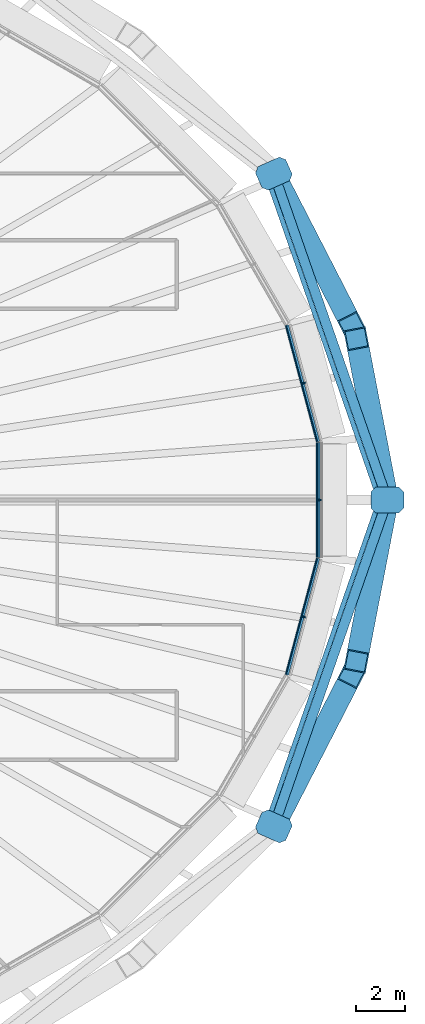
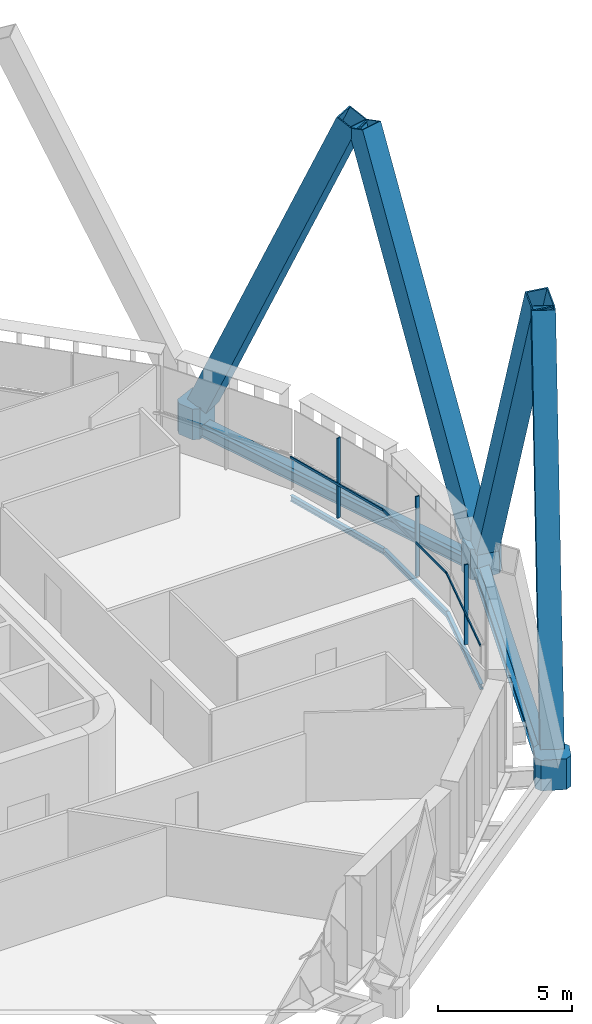
# One storey, part 12 of 25: 13 members, 7 beams, 3 elements without a shape of their own.
"""IFC4 building model written with IfcOpenShell, lengths in metres."""

import ifcopenshell
import ifcopenshell.guid

model = None  # the IFC model being written
_history = None  # IfcOwnerHistory: only IFC2X3 demands one
_inside = {}  # id of a spatial element -> (the spatial element, [elements in it])
_under = {}  # id of a project, library or spatial element -> (it, [spatial elements below it])
_declared = {}  # id of a project -> (the project, [libraries it declares])
_typed = {}  # id of a type object -> (the type object, [elements of that type])
_made_of = {}  # id of a material, layer set ... -> (it, [elements and type objects made of it])


def new_model(schema):
    """Start an empty IFC model of exactly this schema.

    Asked for "IFC4X3", IfcOpenShell would pick the latest addendum, in which some entities
    have other attributes; the version numbers below select the first issue.
    IFC2X3 requires an IfcOwnerHistory on every rooted entity: one is made here for all.
    """
    global model, _history
    if schema == "IFC4X3":
        model = ifcopenshell.file(schema_version=(4, 3, 0, 0))
    else:
        model = ifcopenshell.file(schema=schema)
    _inside.clear()
    _under.clear()
    _declared.clear()
    _typed.clear()
    _made_of.clear()
    _history = None
    if model.schema == "IFC2X3":
        org = make("IfcOrganization", Name="unknown")
        user = make(
            "IfcPersonAndOrganization",
            ThePerson=make("IfcPerson", FamilyName="unknown"),
            TheOrganization=org,
        )
        app = make(
            "IfcApplication",
            ApplicationDeveloper=org,
            Version="unknown",
            ApplicationFullName="unknown",
            ApplicationIdentifier="unknown",
        )
        _history = make(
            "IfcOwnerHistory",
            OwningUser=user,
            OwningApplication=app,
            ChangeAction="ADDED",
            CreationDate=0,
        )
    return model


def make(cls, **values):
    """One entity of the class cls with the attributes given. An attribute that is None is left unset."""
    return model.create_entity(
        cls, **{name: value for name, value in values.items() if value is not None}
    )


def rooted(cls, **values):
    """An entity with a GlobalId (a new one), such as an element, a storey or a relation."""
    return make(cls, GlobalId=ifcopenshell.guid.new(), OwnerHistory=_history, **values)


def si_unit(unit_type, name, prefix=None):
    """IfcSIUnit, for example si_unit("LENGTHUNIT", "METRE", prefix="MILLI")."""
    return make("IfcSIUnit", UnitType=unit_type, Prefix=prefix, Name=name)


def assignment(units):
    """IfcUnitAssignment: the units of a project."""
    return None if units is None else make("IfcUnitAssignment", Units=units)


def point(xyz):
    """IfcCartesianPoint."""
    return None if xyz is None else make("IfcCartesianPoint", Coordinates=xyz)


def direction(xyz):
    """IfcDirection."""
    return None if xyz is None else make("IfcDirection", DirectionRatios=xyz)


def frame(location, z_axis=None, x_axis=None):
    """IfcAxis2Placement3D, a coordinate frame: its origin and axes. An axis left out is left unset."""
    return make(
        "IfcAxis2Placement3D",
        Location=point(location),
        Axis=direction(z_axis),
        RefDirection=direction(x_axis),
    )


def frame_2d(location, x_axis=None):
    """IfcAxis2Placement2D, a coordinate frame in the plane: its origin and x axis."""
    return make(
        "IfcAxis2Placement2D", Location=point(location), RefDirection=direction(x_axis)
    )


def origin():
    """The frame at (0, 0, 0) with its axes left unset."""
    return frame((0.0, 0.0, 0.0))


def origin_2d():
    """The frame at (0, 0) in the plane with its x axis left unset."""
    return frame_2d((0.0, 0.0))


def place(relative_to, where):
    """IfcLocalPlacement: puts the frame where relative to a parent placement (None: the world)."""
    return make(
        "IfcLocalPlacement", PlacementRelTo=relative_to, RelativePlacement=where
    )


def context(
    kind, dimensions, precision=None, world=None, true_north=None, identifier=None
):
    """IfcGeometricRepresentationContext, for example the 3D "Model" context."""
    return make(
        "IfcGeometricRepresentationContext",
        ContextIdentifier=identifier,
        ContextType=kind,
        CoordinateSpaceDimension=dimensions,
        Precision=precision,
        WorldCoordinateSystem=world,
        TrueNorth=true_north,
    )


def subcontext(parent, identifier, kind, view, scale=None):
    """IfcGeometricRepresentationSubContext, for example "Body" below "Model"."""
    return make(
        "IfcGeometricRepresentationSubContext",
        ContextIdentifier=identifier,
        ContextType=kind,
        ParentContext=parent,
        TargetScale=scale,
        TargetView=view,
    )


def project(units=None, contexts=None):
    """IfcProject with its units and contexts."""
    return rooted(
        "IfcProject",
        Name="project",
        RepresentationContexts=contexts,
        UnitsInContext=assignment(units),
    )


def spatial(cls, under=None, at=None, **own):
    """A site, building, storey or space (cls), placed at a placement, below another one or the project."""
    s = rooted(cls, ObjectPlacement=at, **own)
    if under is not None:
        _under.setdefault(under.id(), (under, []))[1].append(s)
    return s


def polyline(points):
    """IfcPolyline through the points."""
    return make("IfcPolyline", Points=[point(p) for p in points])


def profile(cls, at=None, kind="AREA", **sizes):
    """A parametric profile (cls). Its sizes go by their IFC names, for example OverallWidth=200.0."""
    return make(cls, ProfileType=kind, Position=at, **sizes)


def rectangle(**sizes):
    """IfcRectangleProfileDef."""
    return profile("IfcRectangleProfileDef", **sizes)


def hollow_rectangle(**sizes):
    """IfcRectangleHollowProfileDef."""
    return profile("IfcRectangleHollowProfileDef", **sizes)


def i_section(**sizes):
    """IfcIShapeProfileDef."""
    return profile("IfcIShapeProfileDef", **sizes)


def outline(outer, holes=None, kind="AREA"):
    """IfcArbitraryClosedProfileDef: a profile drawn as a closed curve; with holes, ...WithVoids."""
    if holes is None:
        return make("IfcArbitraryClosedProfileDef", ProfileType=kind, OuterCurve=outer)
    return make(
        "IfcArbitraryProfileDefWithVoids",
        ProfileType=kind,
        OuterCurve=outer,
        InnerCurves=holes,
    )


def extrude(swept, where, along, depth):
    """IfcExtrudedAreaSolid: the profile swept, set in the frame where, extruded along a direction by depth."""
    return make(
        "IfcExtrudedAreaSolid",
        SweptArea=swept,
        Position=where,
        ExtrudedDirection=direction(along),
        Depth=depth,
    )


def shape(context_of_items, identifier, shape_type, items):
    """IfcShapeRepresentation: the items that make up one representation, for example the "Body"."""
    return make(
        "IfcShapeRepresentation",
        ContextOfItems=context_of_items,
        RepresentationIdentifier=identifier,
        RepresentationType=shape_type,
        Items=items,
    )


def material(Name=None, Category=None):
    """IfcMaterial."""
    return make("IfcMaterial", Name=Name, Category=Category)


def layer(
    of_material, thickness, ventilated=None, Name=None, Category=None, Priority=None
):
    """IfcMaterialLayer: one layer of a wall or slab, of a material (None: an air gap)."""
    return make(
        "IfcMaterialLayer",
        Material=of_material,
        LayerThickness=thickness,
        IsVentilated=ventilated,
        Name=Name,
        Category=Category,
        Priority=Priority,
    )


def layer_set(layers, Name=None):
    """IfcMaterialLayerSet."""
    return make("IfcMaterialLayerSet", MaterialLayers=layers, LayerSetName=Name)


def material_profile(
    of_material, cross_section, Name=None, Category=None, Priority=None
):
    """IfcMaterialProfile: a cross section and its material."""
    return make(
        "IfcMaterialProfile",
        Name=Name,
        Material=of_material,
        Profile=cross_section,
        Priority=Priority,
        Category=Category,
    )


def profile_set(profiles, Name=None, composite=None):
    """IfcMaterialProfileSet."""
    return make(
        "IfcMaterialProfileSet",
        Name=Name,
        MaterialProfiles=profiles,
        CompositeProfile=composite,
    )


def made_of(thing, what):
    """Note that an element or type object is made of a material, layer set ...; save() writes the relation."""
    if what is not None:
        _made_of.setdefault(what.id(), (what, []))[1].append(thing)
    return thing


def type_object(cls, material=None, **own):
    """A type object (cls), such as IfcWallType, which elements share."""
    return made_of(rooted(cls, **own), material)


def element(
    cls,
    number,
    at=None,
    inside=None,
    cuts=None,
    type_object=None,
    material=None,
    context=None,
    identifier="Body",
    shape_type=None,
    held_by="IfcProductDefinitionShape",
    body=None,
    shapes=None,
    **own,
):
    """One element of the class cls, such as IfcWall. Its Tag is "e" and its number.

    at: its placement. inside: the storey or other place that contains it. cuts: it is an
    opening in that element (IfcRelVoidsElement). A single representation is given by context,
    identifier, shape_type and body (its items); several are given by shapes. held_by: the class
    of the entity that holds the representations. save() writes the other relations.
    """
    e = rooted(cls, Tag="e%d" % number, ObjectPlacement=at, **own)
    if body is not None:
        shapes = [shape(context, identifier, shape_type, body)]
    if shapes is not None:
        e.Representation = make(held_by, Representations=shapes)
    if inside is not None:
        _inside.setdefault(inside.id(), (inside, []))[1].append(e)
    if cuts is not None:
        rooted(
            "IfcRelVoidsElement", RelatingBuildingElement=cuts, RelatedOpeningElement=e
        )
    if type_object is not None:
        _typed.setdefault(type_object.id(), (type_object, []))[1].append(e)
    return made_of(e, material)


def aggregate(whole, parts):
    """IfcRelAggregates: a whole, such as a stair, and the parts it consists of."""
    return rooted("IfcRelAggregates", RelatingObject=whole, RelatedObjects=parts)


def save(model, path):
    """Write the relations noted so far, then the file.

    IfcRelAggregates (storeys below a building ...), IfcRelContainedInSpatialStructure (elements
    in a storey), IfcRelDefinesByType, IfcRelAssociatesMaterial and IfcRelDeclares: one each for
    every whole, place, type object, material and project.
    """
    for whole, parts in _under.values():
        aggregate(whole, parts)
    for where, things in _inside.values():
        rooted(
            "IfcRelContainedInSpatialStructure",
            RelatedElements=things,
            RelatingStructure=where,
        )
    for kind, things in _typed.values():
        rooted("IfcRelDefinesByType", RelatedObjects=things, RelatingType=kind)
    for what, things in _made_of.values():
        rooted("IfcRelAssociatesMaterial", RelatedObjects=things, RelatingMaterial=what)
    for by, libraries in _declared.values():
        rooted("IfcRelDeclares", RelatingContext=by, RelatedDefinitions=libraries)
    model.write(path)


model = new_model("IFC4")

# Units and contexts
model_context = context("Model", 3, precision=1e-05, world=origin(), true_north=direction((0.0, 1.0)))
body_context = subcontext(model_context, "Body", "Model", "MODEL_VIEW")
ifc_project = project(units=[si_unit("LENGTHUNIT", "METRE"), si_unit("AREAUNIT", "SQUARE_METRE"), si_unit("VOLUMEUNIT", "CUBIC_METRE"), si_unit("PLANEANGLEUNIT", "RADIAN"), si_unit("MASSUNIT", "GRAM", prefix="KILO")], contexts=[model_context])

# Site, building, storey
site_placement = place(None, origin())
site = spatial("IfcSite", under=ifc_project, at=site_placement, CompositionType="ELEMENT")
building_placement = place(site_placement, origin())
building = spatial("IfcBuilding", under=site, at=building_placement, Name="Sahrelin Media Tower", CompositionType="ELEMENT")
storey_placement = place(building_placement, frame((0.0, 0.0, 114.60009765625)))
storey = spatial("IfcBuildingStorey", under=building, at=storey_placement, Name="L22", CompositionType="ELEMENT", Elevation=114.60009765625)

# Members
ifc_material_1 = material(Name="Steel S460", Category="steel")
ifc_material_profile_1 = material_profile(ifc_material_1, hollow_rectangle(XDim=0.89990234375, YDim=0.89990234375, WallThickness=0.050048828125, at=origin_2d()), Name="Diagrid diagonal DG3")
ifc_profile_set_1 = profile_set([ifc_material_profile_1], Name="Steel S460")
member_type_1 = type_object("IfcMemberType", Name="Diagrid diagonal DG3", PredefinedType="BRACE", material=ifc_profile_set_1)
member_1_placement = place(storey_placement, frame((34.539306640625, 0.285888671875, 0.699951171875), z_axis=(-0.072543222366, 0.377163278999, 0.923301327771), x_axis=(-0.982000738068, -0.188877077575, 0.0)))
element("IfcMember", 1, at=member_1_placement, inside=storey, type_object=member_type_1, Name="Diagrid diagonal D04-00", PredefinedType="BRACE", context=body_context, shape_type="SweptSolid", body=[
    extrude(hollow_rectangle(XDim=0.89990234375, YDim=0.89990234375, WallThickness=0.050048828125, at=origin_2d()), origin(), (0.0, 0.0, 1.0), 16.67919921875),
])
for number, where, z_axis, x_axis, name in (
    (2, (30.09765625, 13.044921875, 0.699951171875), (0.181150046841, -0.352548323524, 0.91809277315), (0.889452455088, 0.457027712659, 0.0), "Diagrid diagonal D04-01"),
    (3, (30.09765625, -13.044921875, 0.699951171875), (0.181150046841, 0.352548323524, 0.91809277315), (-0.889452455088, 0.457027712659, 0.0), "Diagrid diagonal D04-22"),
):
    element("IfcMember", number, at=place(storey_placement, frame(where, z_axis=z_axis, x_axis=x_axis)), inside=storey, type_object=member_type_1, Name=name, PredefinedType="BRACE", context=body_context, shape_type="SweptSolid", body=[
        extrude(hollow_rectangle(XDim=0.89990234375, YDim=0.89990234375, WallThickness=0.050048828125, at=origin_2d()), origin(), (0.0, 0.0, 1.0), 16.773681640625),
    ])
member_2_placement = place(storey_placement, frame((34.539306640625, -0.285888671875, 0.699951171875), z_axis=(-0.072543222366, -0.377163278999, 0.923301327771), x_axis=(0.982000738068, -0.188877077575, 0.0)))
element("IfcMember", 4, at=member_2_placement, inside=storey, type_object=member_type_1, Name="Diagrid diagonal D04-23", PredefinedType="BRACE", context=body_context, shape_type="SweptSolid", body=[
    extrude(hollow_rectangle(XDim=0.89990234375, YDim=0.89990234375, WallThickness=0.050048828125, at=origin_2d()), origin(), (0.0, 0.0, 1.0), 16.67919921875),
])
ifc_material_profile_2 = material_profile(ifc_material_1, outline(polyline([(0.47509765625, -0.52490234375), (0.675048828125, -0.324951171875), (0.675048828125, 0.324951171875), (0.47509765625, 0.52490234375), (-0.47509765625, 0.52490234375), (-0.675048828125, 0.324951171875), (-0.675048828125, -0.324951171875), (-0.47509765625, -0.52490234375), (0.47509765625, -0.52490234375)])), Name="Diagrid node block 1350")
ifc_profile_set_2 = profile_set([ifc_material_profile_2], Name="Steel S460")
member_type_2 = type_object("IfcMemberType", Name="Diagrid node block 1350", PredefinedType="USERDEFINED", material=ifc_profile_set_2)
for number, where, z_axis, x_axis, name in (
    (5, (34.59423828125, 0.0, -0.7001953125), (0.0, 0.0, 1.0), (1.0, 0.0, 0.0), "Diagrid node N04-00"),
    (6, (29.95947265625, 13.313720703125, -0.7001953125), (0.0, 0.0, 1.0), (0.913831317054, 0.40609398416, 0.0), "Diagrid node N04-01"),
    (7, (29.95947265625, -13.313720703125, -0.7001953125), (0.0, 0.0, 1.0), (0.913831317054, -0.40609398416, 0.0), "Diagrid node N04-11"),
):
    element("IfcMember", number, at=place(storey_placement, frame(where, z_axis=z_axis, x_axis=x_axis)), inside=storey, type_object=member_type_2, Name=name, ObjectType="NODE", PredefinedType="USERDEFINED", context=body_context, shape_type="SweptSolid", body=[
        extrude(outline(polyline([(0.47509765625, -0.52490234375), (0.675048828125, -0.324951171875), (0.675048828125, 0.324951171875), (0.47509765625, 0.52490234375), (-0.47509765625, 0.52490234375), (-0.675048828125, 0.324951171875), (-0.675048828125, -0.324951171875), (-0.47509765625, -0.52490234375), (0.47509765625, -0.52490234375)])), origin(), (0.0, 0.0, 1.0), 1.400146484375),
    ])

# Beams
ifc_material_profile_3 = material_profile(ifc_material_1, hollow_rectangle(XDim=0.39990234375, YDim=0.60009765625, WallThickness=0.030029296875, at=origin_2d()), Name="Diagrid ring beam RB1")
ifc_profile_set_3 = profile_set([ifc_material_profile_3], Name="Steel S460")
beam_type_1 = type_object("IfcBeamType", Name="Diagrid ring beam RB1", PredefinedType="BEAM", material=ifc_profile_set_3)
for number, where, z_axis, x_axis, name in (
    (8, (34.59423828125, 0.0, -0.4501953125), (-0.328767798917, 0.944410786891, 0.0), (-0.944410786891, -0.328767798917, 0.0), "Diagrid ring beam RB04-00"),
    (9, (29.95947265625, -13.313720703125, -0.4501953125), (0.328767798917, 0.944410786891, 0.0), (-0.944410786891, 0.328767798917, 0.0), "Diagrid ring beam RB04-11"),
):
    element("IfcBeam", number, at=place(storey_placement, frame(where, z_axis=z_axis, x_axis=x_axis)), inside=storey, type_object=beam_type_1, Name=name, PredefinedType="BEAM", context=body_context, shape_type="SweptSolid", body=[
        extrude(hollow_rectangle(XDim=0.39990234375, YDim=0.60009765625, WallThickness=0.030029296875, at=origin_2d()), origin(), (0.0, 0.0, 1.0), 14.097412109375),
    ])
ifc_material_2 = material(Name="Steel S355", Category="steel")
ifc_material_profile_4 = material_profile(ifc_material_2, i_section(OverallWidth=0.14599609375, OverallDepth=0.25146484375, WebThickness=0.006103515625, FlangeThickness=0.008544921875, FilletRadius=0.007568359375, at=origin_2d()), Name="UB 254x146x31")
ifc_profile_set_4 = profile_set([ifc_material_profile_4], Name="Steel S355")
beam_type_2 = type_object("IfcBeamType", Name="Edge beam EB1", PredefinedType="BEAM", material=ifc_profile_set_4)
beam_placement = place(storey_placement, frame((31.765869140625, 2.3505859375, -0.27587890625), z_axis=(0.0, -1.0, 0.0), x_axis=(1.0, 0.0, 0.0)))
element("IfcBeam", 10, at=beam_placement, inside=storey, type_object=beam_type_2, Name="Edge beam L22-01", PredefinedType="BEAM", context=body_context, shape_type="SweptSolid", body=[
    extrude(i_section(OverallWidth=0.14599609375, OverallDepth=0.25146484375, WebThickness=0.006103515625, FlangeThickness=0.008544921875, FilletRadius=0.007568359375, at=origin_2d()), origin(), (0.0, 0.0, 1.0), 4.701171875),
])
for number, where, z_axis, x_axis, name in (
    (11, (31.761962890625, -2.37939453125, -0.27587890625), (-0.258836128101, -0.965921248751, 0.0), (0.965921248751, -0.258836128101, 0.0), "Edge beam L22-02"),
    (12, (30.488525390625, 7.131591796875, -0.27587890625), (0.258836128101, -0.965921248751, 0.0), (0.965921248751, 0.258836128101, 0.0), "Edge beam L22-24"),
):
    element("IfcBeam", number, at=place(storey_placement, frame(where, z_axis=z_axis, x_axis=x_axis)), inside=storey, type_object=beam_type_2, Name=name, PredefinedType="BEAM", context=body_context, shape_type="SweptSolid", body=[
        extrude(i_section(OverallWidth=0.14599609375, OverallDepth=0.25146484375, WebThickness=0.006103515625, FlangeThickness=0.008544921875, FilletRadius=0.007568359375, at=origin_2d()), origin(), (0.0, 0.0, 1.0), 4.919921875),
    ])

# Curtain wall, member
ifc_material_3 = material(Name="Champagne anodised aluminium 6063-T6", Category="aluminium")
ifc_layer = layer(ifc_material_3, 0.14990234375)
ifc_layer_set = layer_set([ifc_layer], Name="Tower ribbon curtain wall")
curtain_wall_type = type_object("IfcCurtainWallType", Name="Tower ribbon curtain wall", PredefinedType="NOTDEFINED", material=ifc_layer_set)
curtain_wall_1_placement = place(storey_placement, frame((31.915771484375, 0.0, 0.0), z_axis=(0.0, 0.0, 1.0), x_axis=(1.0, 0.0, 0.0)))
curtain_wall_1 = element("IfcCurtainWall", 13, at=curtain_wall_1_placement, inside=storey, type_object=curtain_wall_type, Name="L22:CW:L22-00", PredefinedType="NOTDEFINED")
ifc_material_profile_5 = material_profile(ifc_material_3, rectangle(XDim=0.06005859375, YDim=0.14990234375, at=origin_2d()), Name="Mullion 60x150")
ifc_profile_set_5 = profile_set([ifc_material_profile_5], Name="Champagne anodised aluminium 6063-T6")
member_type_3 = type_object("IfcMemberType", Name="Mullion 60x150 CW1", PredefinedType="MULLION", material=ifc_profile_set_5)
member_3_placement = place(storey_placement, frame((31.82080078125, 0.0, 0.0), z_axis=(0.0, 0.0, 1.0), x_axis=(0.0, 1.0, 0.0)))
member_3 = element("IfcMember", 14, at=member_3_placement, type_object=member_type_3, Name="L22:CWM:L22-00", PredefinedType="MULLION", context=body_context, shape_type="SweptSolid", body=[
    extrude(rectangle(XDim=0.06005859375, YDim=0.14990234375, at=origin_2d()), origin(), (0.0, 0.0, 1.0), 3.6484375),
])

curtain_wall_2_placement = place(storey_placement, frame((31.270263671875, 4.794189453125, 0.0), z_axis=(0.0, 0.0, 1.0), x_axis=(1.0, 0.0, 0.0)))
curtain_wall_2 = element("IfcCurtainWall", 15, at=curtain_wall_2_placement, inside=storey, type_object=curtain_wall_type, Name="L22:CW:L22-01", PredefinedType="NOTDEFINED")
member_4_placement = place(storey_placement, frame((31.178466796875, 4.769775390625, 0.0), z_axis=(0.0, 0.0, 1.0), x_axis=(-0.258835903649, 0.965921308897, 0.0)))
member_4 = element("IfcMember", 16, at=member_4_placement, type_object=member_type_3, Name="L22:CWM:L22-01", PredefinedType="MULLION", context=body_context, shape_type="SweptSolid", body=[
    extrude(rectangle(XDim=0.06005859375, YDim=0.14990234375, at=origin_2d()), origin(), (0.0, 0.0, 1.0), 3.6484375),
])

curtain_wall_3_placement = place(storey_placement, frame((31.270263671875, -4.794189453125, 0.0), z_axis=(0.0, 0.0, 1.0), x_axis=(1.0, 0.0, 0.0)))
curtain_wall_3 = element("IfcCurtainWall", 17, at=curtain_wall_3_placement, inside=storey, type_object=curtain_wall_type, Name="L22:CW:L22-23", PredefinedType="NOTDEFINED")
member_5_placement = place(storey_placement, frame((31.178466796875, -4.769775390625, 0.0), z_axis=(0.0, 0.0, 1.0), x_axis=(0.258835903649, 0.965921308897, 0.0)))
member_5 = element("IfcMember", 18, at=member_5_placement, type_object=member_type_3, Name="L22:CWM:L22-23", PredefinedType="MULLION", context=body_context, shape_type="SweptSolid", body=[
    extrude(rectangle(XDim=0.06005859375, YDim=0.14990234375, at=origin_2d()), origin(), (0.0, 0.0, 1.0), 3.6484375),
])

# Beams
ifc_material_profile_6 = material_profile(ifc_material_2, i_section(OverallWidth=0.1904296875, OverallDepth=0.45703125, WebThickness=0.009033203125, FlangeThickness=0.014404296875, FilletRadius=0.01025390625, at=origin_2d()), Name="UB 457x191x74")
ifc_profile_set_6 = profile_set([ifc_material_profile_6], Name="Steel S355")
beam_type_3 = type_object("IfcBeamType", Name="Tie chord TC5", PredefinedType="BEAM", material=ifc_profile_set_6)
for number, where, z_axis, x_axis, name in (
    (19, (34.2763671875, 0.0, -0.378662109375), (-0.328774654674, -0.94440840024, 0.0), (0.94440840024, -0.328774654674, 0.0), "Tie chord L22-01"),
    (20, (29.705322265625, 13.13037109375, -0.378662109375), (0.328774654674, -0.94440840024, 0.0), (0.94440840024, 0.328774654674, 0.0), "Tie chord L22-12"),
):
    element("IfcBeam", number, at=place(storey_placement, frame(where, z_axis=z_axis, x_axis=x_axis)), inside=storey, type_object=beam_type_3, Name=name, PredefinedType="BEAM", context=body_context, shape_type="SweptSolid", body=[
        extrude(i_section(OverallWidth=0.1904296875, OverallDepth=0.45703125, WebThickness=0.009033203125, FlangeThickness=0.014404296875, FilletRadius=0.01025390625, at=origin_2d()), origin(), (0.0, 0.0, 1.0), 13.9033203125),
    ])

# Member
ifc_material_profile_7 = material_profile(ifc_material_3, rectangle(XDim=0.050048828125, YDim=0.10009765625, at=origin_2d()), Name="Transom 50x100")
ifc_profile_set_7 = profile_set([ifc_material_profile_7], Name="Champagne anodised aluminium 6063-T6")
member_type_4 = type_object("IfcMemberType", Name="Transom 50x100 CW1", PredefinedType="USERDEFINED", material=ifc_profile_set_7)
member_6_placement = place(storey_placement, frame((31.720703125, -2.3349609375, 1.599853515625), z_axis=(0.0, 1.0, 0.0), x_axis=(-1.0, 0.0, 0.0)))
member_6 = element("IfcMember", 21, at=member_6_placement, type_object=member_type_4, Name="L22:CWT:L22-00", ObjectType="TRANSOM", PredefinedType="USERDEFINED", context=body_context, shape_type="SweptSolid", body=[
    extrude(rectangle(XDim=0.050048828125, YDim=0.10009765625, at=origin_2d()), origin(), (0.0, 0.0, 1.0), 4.669921875),
])

aggregate(curtain_wall_1, [member_3, member_6])

member_7_placement = place(storey_placement, frame((31.714599609375, 2.3828125, 1.599853515625), z_axis=(-0.258846754229, 0.965918401225, 0.0), x_axis=(-0.965918401225, -0.258846754229, 0.0)))
member_7 = element("IfcMember", 22, at=member_7_placement, type_object=member_type_4, Name="L22:CWT:L22-01", ObjectType="TRANSOM", PredefinedType="USERDEFINED", context=body_context, shape_type="SweptSolid", body=[
    extrude(rectangle(XDim=0.050048828125, YDim=0.10009765625, at=origin_2d()), origin(), (0.0, 0.0, 1.0), 4.888427734375),
])

aggregate(curtain_wall_2, [member_4, member_7])

member_8_placement = place(storey_placement, frame((30.44921875, -7.104736328125, 1.599853515625), z_axis=(0.258846754229, 0.965918401225, 0.0), x_axis=(-0.965918401225, 0.258846754229, 0.0)))
member_8 = element("IfcMember", 23, at=member_8_placement, type_object=member_type_4, Name="L22:CWT:L22-23", ObjectType="TRANSOM", PredefinedType="USERDEFINED", context=body_context, shape_type="SweptSolid", body=[
    extrude(rectangle(XDim=0.050048828125, YDim=0.10009765625, at=origin_2d()), origin(), (0.0, 0.0, 1.0), 4.888427734375),
])

aggregate(curtain_wall_3, [member_5, member_8])

save(model, "model.ifc")
